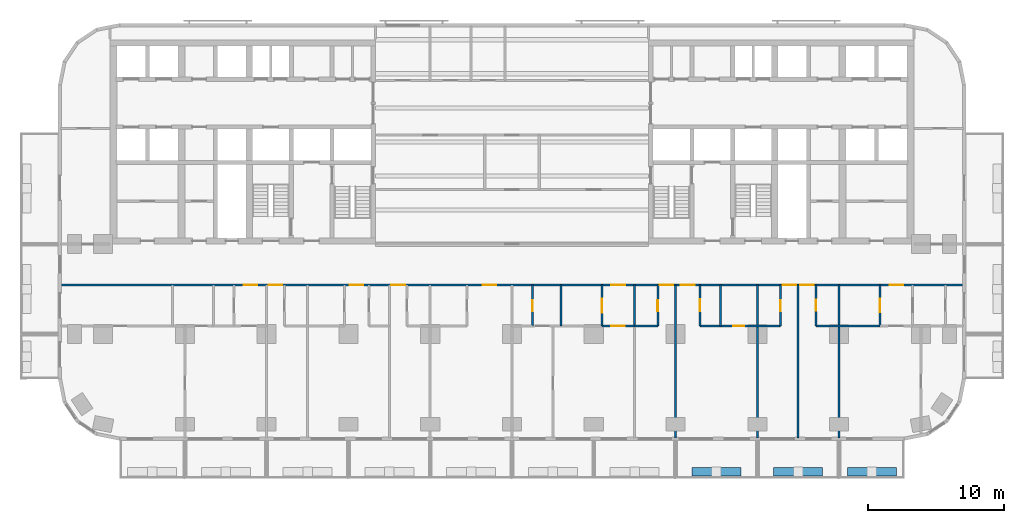
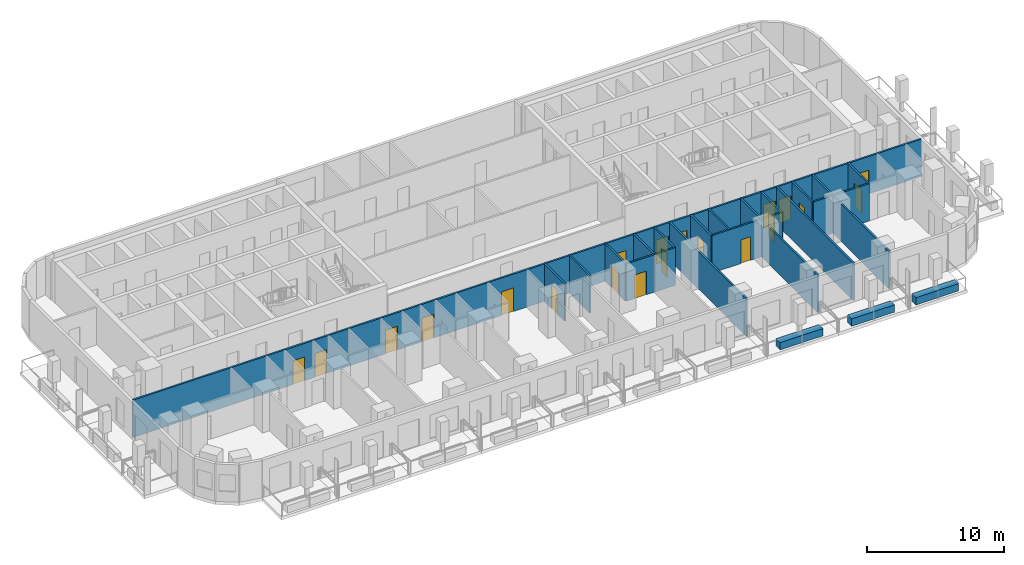
# One storey, part 6 of 15: 22 walls, 20 doors, 20 openings.
"""IFC4 building model written with IfcOpenShell, lengths in metres."""

from ifc_helpers import new_model, si_unit, direction, frame, frame_2d, origin, place, context, subcontext, project, spatial, rectangle, extrude, material, layer, layer_set, type_object, element, fill, save


model = new_model("IFC4")

# Units and contexts
model_context = context("Model", 3, precision=1e-05, world=origin(), true_north=direction((0.0, 1.0)))
body_context = subcontext(model_context, "Body", "Model", "MODEL_VIEW")
ifc_project = project(units=[si_unit("LENGTHUNIT", "METRE"), si_unit("AREAUNIT", "SQUARE_METRE"), si_unit("VOLUMEUNIT", "CUBIC_METRE"), si_unit("PLANEANGLEUNIT", "RADIAN"), si_unit("MASSUNIT", "GRAM", prefix="KILO")], contexts=[model_context])

# Site, building, storey
site_placement = place(None, origin())
site = spatial("IfcSite", under=ifc_project, at=site_placement, CompositionType="ELEMENT")
building_placement = place(site_placement, origin())
building = spatial("IfcBuilding", under=site, at=building_placement, Name="Torana Hotel and Residences", CompositionType="ELEMENT")
storey_placement = place(building_placement, frame((0.0, 0.0, 70.800048828125)))
storey = spatial("IfcBuildingStorey", under=building, at=storey_placement, Name="L17", CompositionType="ELEMENT", Elevation=70.800048828125)

# Wall, opening, door
ifc_material_1 = material(Name="Gypsum plaster")
ifc_layer_1 = layer(ifc_material_1, 0.014892578125, Name="Plaster", Category="finish")
ifc_material_2 = material(Name="Concrete blockwork", Category="masonry")
ifc_layer_2 = layer(ifc_material_2, 0.1201171875, Name="Blockwork", Category="structure")
ifc_layer_3 = layer(ifc_material_1, 0.014892578125, Name="Plaster", Category="finish")
ifc_layer_set_1 = layer_set([ifc_layer_1, ifc_layer_2, ifc_layer_3], Name="FIRE PARTITION 150 BLOCKWORK")
wall_type_1 = type_object("IfcWallType", Name="FIRE PARTITION 150 BLOCKWORK", PredefinedType="PARTITIONING", material=ifc_layer_set_1)
wall_1_placement = place(storey_placement, frame((27.0, -21.0, 0.0), z_axis=(0.0, 0.0, 1.0), x_axis=(0.0, 1.0, 0.0)))
wall_1 = element("IfcWall", 1, at=wall_1_placement, inside=storey, type_object=wall_type_1, Name="Partition L17", PredefinedType="PARTITIONING", context=body_context, shape_type="SweptSolid", body=[
    extrude(rectangle(XDim=3.0, YDim=0.14990234375, at=frame_2d((1.5, 0.0))), origin(), (0.0, 0.0, 1.0), 3.320068359375),
])
opening_1_placement = place(wall_1_placement, frame((1.0, 0.0, 0.0)))
opening_1 = element("IfcOpeningElement", 2, at=opening_1_placement, cuts=wall_1, Name="Opening L17-81", PredefinedType="OPENING", context=body_context, shape_type="SweptSolid", body=[
    extrude(rectangle(XDim=1.0, YDim=2.10009765625, at=frame_2d((0.5, 1.050048828125))), frame((0.0, 0.0849609375, 0.0), z_axis=(0.0, -1.0, 0.0), x_axis=(1.0, 0.0, 0.0)), (0.0, 0.0, 1.0), 0.169921875),
])
ifc_material_3 = material(Name="Steel S235", Category="steel")
door_type_1 = type_object("IfcDoorType", Name="ENTRY FIRE DOOR D6 1000x2100", OperationType="SINGLE_SWING_LEFT", PredefinedType="DOOR", material=ifc_material_3)
door_1_placement = place(opening_1_placement, origin())
door_1 = element("IfcDoor", 3, at=door_1_placement, inside=storey, type_object=door_type_1, Name="Door L17", OperationType="SINGLE_SWING_RIGHT", OverallHeight=2.10009765625, OverallWidth=1.0, PredefinedType="DOOR", context=body_context, shape_type="SweptSolid", body=[
    extrude(rectangle(XDim=1.0, YDim=2.10009765625, at=frame_2d((0.5, 1.050048828125))), frame((0.0, 0.02490234375, 0.0), z_axis=(0.0, -1.0, 0.0), x_axis=(1.0, 0.0, 0.0)), (0.0, 0.0, 1.0), 0.050048828125),
])
fill(opening_1, door_1)

# Wall
wall_2_placement = place(storey_placement, frame((9.0, -21.0, 0.0), z_axis=(0.0, 0.0, 1.0), x_axis=(0.0, 1.0, 0.0)))
element("IfcWall", 4, at=wall_2_placement, inside=storey, type_object=wall_type_1, Name="Partition L17", PredefinedType="PARTITIONING", context=body_context, shape_type="SweptSolid", body=[
    extrude(rectangle(XDim=3.0, YDim=0.14990234375, at=frame_2d((1.5, 0.0))), origin(), (0.0, 0.0, 1.0), 3.320068359375),
])

# Wall, opening, door
wall_3_placement = place(storey_placement, frame((6.60009765625, -21.0, 0.0), z_axis=(0.0, 0.0, 1.0), x_axis=(0.0, 1.0, 0.0)))
wall_3 = element("IfcWall", 5, at=wall_3_placement, inside=storey, type_object=wall_type_1, Name="Partition L17", PredefinedType="PARTITIONING", context=body_context, shape_type="SweptSolid", body=[
    extrude(rectangle(XDim=3.0, YDim=0.14990234375, at=frame_2d((1.5, 0.0))), origin(), (0.0, 0.0, 1.0), 3.320068359375),
])
opening_2_placement = place(wall_3_placement, frame((0.97998046875, 0.0, 0.0)))
opening_2 = element("IfcOpeningElement", 6, at=opening_2_placement, cuts=wall_3, Name="Opening L17-68", PredefinedType="OPENING", context=body_context, shape_type="SweptSolid", body=[
    extrude(rectangle(XDim=1.0, YDim=2.10009765625, at=frame_2d((0.5, 1.050048828125))), frame((0.0, 0.0849609375, 0.0), z_axis=(0.0, -1.0, 0.0), x_axis=(1.0, 0.0, 0.0)), (0.0, 0.0, 1.0), 0.169921875),
])
door_2_placement = place(opening_2_placement, origin())
door_2 = element("IfcDoor", 7, at=door_2_placement, inside=storey, type_object=door_type_1, Name="Door L17", OperationType="SINGLE_SWING_RIGHT", OverallHeight=2.10009765625, OverallWidth=1.0, PredefinedType="DOOR", context=body_context, shape_type="SweptSolid", body=[
    extrude(rectangle(XDim=1.0, YDim=2.10009765625, at=frame_2d((0.5, 1.050048828125))), frame((0.0, 0.02490234375, 0.0), z_axis=(0.0, -1.0, 0.0), x_axis=(1.0, 0.0, 0.0)), (0.0, 0.0, 1.0), 0.050048828125),
])
fill(opening_2, door_2)

wall_4_placement = place(storey_placement, frame((6.60009765625, -21.0, 0.0), z_axis=(0.0, 0.0, 1.0), x_axis=(1.0, 0.0, 0.0)))
wall_4 = element("IfcWall", 8, at=wall_4_placement, inside=storey, type_object=wall_type_1, Name="Partition L17", PredefinedType="PARTITIONING", context=body_context, shape_type="SweptSolid", body=[
    extrude(rectangle(XDim=2.39990234375, YDim=0.14990234375, at=frame_2d((1.199951171875, 0.0))), origin(), (0.0, 0.0, 1.0), 3.320068359375),
])
opening_3_placement = place(wall_4_placement, frame((0.679931640625, 0.0, 0.0)))
opening_3 = element("IfcOpeningElement", 9, at=opening_3_placement, cuts=wall_4, Name="Opening L17-69", PredefinedType="OPENING", context=body_context, shape_type="SweptSolid", body=[
    extrude(rectangle(XDim=1.0, YDim=2.10009765625, at=frame_2d((0.5, 1.050048828125))), frame((0.0, 0.0849609375, 0.0), z_axis=(0.0, -1.0, 0.0), x_axis=(1.0, 0.0, 0.0)), (0.0, 0.0, 1.0), 0.169921875),
])
door_3_placement = place(opening_3_placement, frame((0.5, 0.0, 0.0), z_axis=(0.0, 0.0, 1.0), x_axis=(-1.0, 0.0, 0.0)))
door_3 = element("IfcDoor", 10, at=door_3_placement, inside=storey, type_object=door_type_1, Name="Door L17", OperationType="SINGLE_SWING_LEFT", OverallHeight=2.10009765625, OverallWidth=1.0, PredefinedType="DOOR", context=body_context, shape_type="SweptSolid", body=[
    extrude(rectangle(XDim=1.0, YDim=2.10009765625, at=frame_2d((0.0, 1.050048828125))), frame((0.0, -0.02490234375, 0.0), z_axis=(0.0, 1.0, 0.0), x_axis=(-1.0, 0.0, 0.0)), (0.0, 0.0, 1.0), 0.050048828125),
])
fill(opening_3, door_3)

# Wall, openings, doors
wall_5_placement = place(storey_placement, frame((-33.1201171875, -18.0, 0.0), z_axis=(0.0, 0.0, 1.0), x_axis=(1.0, 0.0, 0.0)))
wall_5 = element("IfcWall", 11, at=wall_5_placement, inside=storey, type_object=wall_type_1, Name="Partition L17", PredefinedType="PARTITIONING", context=body_context, shape_type="SweptSolid", body=[
    extrude(rectangle(XDim=66.240234375, YDim=0.14990234375, at=frame_2d((33.1201171875, 0.0))), origin(), (0.0, 0.0, 1.0), 3.320068359375),
])
opening_4_placement = place(wall_5_placement, frame((15.27001953125, 0.0, 0.0)))
opening_4 = element("IfcOpeningElement", 12, at=opening_4_placement, cuts=wall_5, Name="Opening L17-40", PredefinedType="OPENING", context=body_context, shape_type="SweptSolid", body=[
    extrude(rectangle(XDim=1.0, YDim=2.10009765625, at=frame_2d((0.5, 1.050048828125))), frame((0.0, 0.0849609375, 0.0), z_axis=(0.0, -1.0, 0.0), x_axis=(1.0, 0.0, 0.0)), (0.0, 0.0, 1.0), 0.169921875),
])
opening_5_placement = place(wall_5_placement, frame((21.219970703125, 0.0, 0.0)))
opening_5 = element("IfcOpeningElement", 13, at=opening_5_placement, cuts=wall_5, Name="Opening L17-41", PredefinedType="OPENING", context=body_context, shape_type="SweptSolid", body=[
    extrude(rectangle(XDim=1.0, YDim=2.10009765625, at=frame_2d((0.5, 1.050048828125))), frame((0.0, 0.0849609375, 0.0), z_axis=(0.0, -1.0, 0.0), x_axis=(1.0, 0.0, 0.0)), (0.0, 0.0, 1.0), 0.169921875),
])
opening_6_placement = place(wall_5_placement, frame((24.27001953125, 0.0, 0.0)))
opening_6 = element("IfcOpeningElement", 14, at=opening_6_placement, cuts=wall_5, Name="Opening L17-42", PredefinedType="OPENING", context=body_context, shape_type="SweptSolid", body=[
    extrude(rectangle(XDim=1.0, YDim=2.10009765625, at=frame_2d((0.5, 1.050048828125))), frame((0.0, 0.0849609375, 0.0), z_axis=(0.0, -1.0, 0.0), x_axis=(1.0, 0.0, 0.0)), (0.0, 0.0, 1.0), 0.169921875),
])
opening_7_placement = place(wall_5_placement, frame((30.969970703125, 0.0, 0.0)))
opening_7 = element("IfcOpeningElement", 15, at=opening_7_placement, cuts=wall_5, Name="Opening L17-43", PredefinedType="OPENING", context=body_context, shape_type="SweptSolid", body=[
    extrude(rectangle(XDim=1.0, YDim=2.10009765625, at=frame_2d((0.5, 1.050048828125))), frame((0.0, 0.0849609375, 0.0), z_axis=(0.0, -1.0, 0.0), x_axis=(1.0, 0.0, 0.0)), (0.0, 0.0, 1.0), 0.169921875),
])
opening_8_placement = place(wall_5_placement, frame((40.419921875, 0.0, 0.0)))
opening_8 = element("IfcOpeningElement", 16, at=opening_8_placement, cuts=wall_5, Name="Opening L17-44", PredefinedType="OPENING", context=body_context, shape_type="SweptSolid", body=[
    extrude(rectangle(XDim=1.0, YDim=2.10009765625, at=frame_2d((0.5, 1.050048828125))), frame((0.0, 0.0849609375, 0.0), z_axis=(0.0, -1.0, 0.0), x_axis=(1.0, 0.0, 0.0)), (0.0, 0.0, 1.0), 0.169921875),
])
opening_9_placement = place(wall_5_placement, frame((43.969970703125, 0.0, 0.0)))
opening_9 = element("IfcOpeningElement", 17, at=opening_9_placement, cuts=wall_5, Name="Opening L17-45", PredefinedType="OPENING", context=body_context, shape_type="SweptSolid", body=[
    extrude(rectangle(XDim=1.0, YDim=2.10009765625, at=frame_2d((0.5, 1.050048828125))), frame((0.0, 0.0849609375, 0.0), z_axis=(0.0, -1.0, 0.0), x_axis=(1.0, 0.0, 0.0)), (0.0, 0.0, 1.0), 0.169921875),
])
opening_10_placement = place(wall_5_placement, frame((45.52001953125, 0.0, 0.0)))
opening_10 = element("IfcOpeningElement", 18, at=opening_10_placement, cuts=wall_5, Name="Opening L17-46", PredefinedType="OPENING", context=body_context, shape_type="SweptSolid", body=[
    extrude(rectangle(XDim=1.0, YDim=2.10009765625, at=frame_2d((0.5, 1.050048828125))), frame((0.0, 0.0849609375, 0.0), z_axis=(0.0, -1.0, 0.0), x_axis=(1.0, 0.0, 0.0)), (0.0, 0.0, 1.0), 0.169921875),
])
opening_11_placement = place(wall_5_placement, frame((52.969970703125, 0.0, 0.0)))
opening_11 = element("IfcOpeningElement", 19, at=opening_11_placement, cuts=wall_5, Name="Opening L17-47", PredefinedType="OPENING", context=body_context, shape_type="SweptSolid", body=[
    extrude(rectangle(XDim=1.0, YDim=2.10009765625, at=frame_2d((0.5, 1.050048828125))), frame((0.0, 0.0849609375, 0.0), z_axis=(0.0, -1.0, 0.0), x_axis=(1.0, 0.0, 0.0)), (0.0, 0.0, 1.0), 0.169921875),
])
opening_12_placement = place(wall_5_placement, frame((54.27001953125, 0.0, 0.0)))
opening_12 = element("IfcOpeningElement", 20, at=opening_12_placement, cuts=wall_5, Name="Opening L17-48", PredefinedType="OPENING", context=body_context, shape_type="SweptSolid", body=[
    extrude(rectangle(XDim=1.0, YDim=2.10009765625, at=frame_2d((0.5, 1.050048828125))), frame((0.0, 0.0849609375, 0.0), z_axis=(0.0, -1.0, 0.0), x_axis=(1.0, 0.0, 0.0)), (0.0, 0.0, 1.0), 0.169921875),
])
opening_13_placement = place(wall_5_placement, frame((13.419921875, 0.0, 0.0)))
opening_13 = element("IfcOpeningElement", 21, at=opening_13_placement, cuts=wall_5, Name="Opening L17-49", PredefinedType="OPENING", context=body_context, shape_type="SweptSolid", body=[
    extrude(rectangle(XDim=1.0, YDim=2.10009765625, at=frame_2d((0.5, 1.050048828125))), frame((0.0, 0.0849609375, 0.0), z_axis=(0.0, -1.0, 0.0), x_axis=(1.0, 0.0, 0.0)), (0.0, 0.0, 1.0), 0.169921875),
])
opening_14_placement = place(wall_5_placement, frame((60.820068359375, 0.0, 0.0)))
opening_14 = element("IfcOpeningElement", 22, at=opening_14_placement, cuts=wall_5, Name="Opening L17-50", PredefinedType="OPENING", context=body_context, shape_type="SweptSolid", body=[
    extrude(rectangle(XDim=1.0, YDim=2.10009765625, at=frame_2d((0.5, 1.050048828125))), frame((0.0, 0.0849609375, 0.0), z_axis=(0.0, -1.0, 0.0), x_axis=(1.0, 0.0, 0.0)), (0.0, 0.0, 1.0), 0.169921875),
])
door_4_placement = place(opening_4_placement, frame((0.5, 0.0, 0.0), z_axis=(0.0, 0.0, 1.0), x_axis=(-1.0, 0.0, 0.0)))
door_4 = element("IfcDoor", 23, at=door_4_placement, inside=storey, type_object=door_type_1, Name="Door L17", OperationType="SINGLE_SWING_LEFT", OverallHeight=2.10009765625, OverallWidth=1.0, PredefinedType="DOOR", context=body_context, shape_type="SweptSolid", body=[
    extrude(rectangle(XDim=1.0, YDim=2.10009765625, at=frame_2d((0.0, 1.050048828125))), frame((0.0, -0.02490234375, 0.0), z_axis=(0.0, 1.0, 0.0), x_axis=(-1.0, 0.0, 0.0)), (0.0, 0.0, 1.0), 0.050048828125),
])
fill(opening_4, door_4)
door_5_placement = place(opening_5_placement, frame((0.5, 0.0, 0.0), z_axis=(0.0, 0.0, 1.0), x_axis=(-1.0, 0.0, 0.0)))
door_5 = element("IfcDoor", 24, at=door_5_placement, inside=storey, type_object=door_type_1, Name="Door L17", OperationType="SINGLE_SWING_LEFT", OverallHeight=2.10009765625, OverallWidth=1.0, PredefinedType="DOOR", context=body_context, shape_type="SweptSolid", body=[
    extrude(rectangle(XDim=1.0, YDim=2.10009765625, at=frame_2d((0.0, 1.050048828125))), frame((0.0, -0.02490234375, 0.0), z_axis=(0.0, 1.0, 0.0), x_axis=(-1.0, 0.0, 0.0)), (0.0, 0.0, 1.0), 0.050048828125),
])
fill(opening_5, door_5)
door_6_placement = place(opening_6_placement, frame((0.5, 0.0, 0.0), z_axis=(0.0, 0.0, 1.0), x_axis=(-1.0, 0.0, 0.0)))
door_6 = element("IfcDoor", 25, at=door_6_placement, inside=storey, type_object=door_type_1, Name="Door L17", OperationType="SINGLE_SWING_LEFT", OverallHeight=2.10009765625, OverallWidth=1.0, PredefinedType="DOOR", context=body_context, shape_type="SweptSolid", body=[
    extrude(rectangle(XDim=1.0, YDim=2.10009765625, at=frame_2d((0.0, 1.050048828125))), frame((0.0, -0.02490234375, 0.0), z_axis=(0.0, 1.0, 0.0), x_axis=(-1.0, 0.0, 0.0)), (0.0, 0.0, 1.0), 0.050048828125),
])
fill(opening_6, door_6)
door_7_placement = place(opening_7_placement, frame((0.5, 0.0, 0.0), z_axis=(0.0, 0.0, 1.0), x_axis=(-1.0, 0.0, 0.0)))
door_7 = element("IfcDoor", 26, at=door_7_placement, inside=storey, type_object=door_type_1, Name="Door L17", OperationType="SINGLE_SWING_LEFT", OverallHeight=2.10009765625, OverallWidth=1.0, PredefinedType="DOOR", context=body_context, shape_type="SweptSolid", body=[
    extrude(rectangle(XDim=1.0, YDim=2.10009765625, at=frame_2d((0.0, 1.050048828125))), frame((0.0, -0.02490234375, 0.0), z_axis=(0.0, 1.0, 0.0), x_axis=(-1.0, 0.0, 0.0)), (0.0, 0.0, 1.0), 0.050048828125),
])
fill(opening_7, door_7)
door_8_placement = place(opening_8_placement, origin())
door_8 = element("IfcDoor", 27, at=door_8_placement, inside=storey, type_object=door_type_1, Name="Door L17", OperationType="SINGLE_SWING_RIGHT", OverallHeight=2.10009765625, OverallWidth=1.0, PredefinedType="DOOR", context=body_context, shape_type="SweptSolid", body=[
    extrude(rectangle(XDim=1.0, YDim=2.10009765625, at=frame_2d((0.5, 1.050048828125))), frame((0.0, 0.02490234375, 0.0), z_axis=(0.0, -1.0, 0.0), x_axis=(1.0, 0.0, 0.0)), (0.0, 0.0, 1.0), 0.050048828125),
])
fill(opening_8, door_8)
door_9_placement = place(opening_9_placement, frame((0.5, 0.0, 0.0), z_axis=(0.0, 0.0, 1.0), x_axis=(-1.0, 0.0, 0.0)))
door_9 = element("IfcDoor", 28, at=door_9_placement, inside=storey, type_object=door_type_1, Name="Door L17", OperationType="SINGLE_SWING_LEFT", OverallHeight=2.10009765625, OverallWidth=1.0, PredefinedType="DOOR", context=body_context, shape_type="SweptSolid", body=[
    extrude(rectangle(XDim=1.0, YDim=2.10009765625, at=frame_2d((0.0, 1.050048828125))), frame((0.0, -0.02490234375, 0.0), z_axis=(0.0, 1.0, 0.0), x_axis=(-1.0, 0.0, 0.0)), (0.0, 0.0, 1.0), 0.050048828125),
])
fill(opening_9, door_9)
door_10_placement = place(opening_10_placement, frame((0.5, 0.0, 0.0), z_axis=(0.0, 0.0, 1.0), x_axis=(-1.0, 0.0, 0.0)))
door_10 = element("IfcDoor", 29, at=door_10_placement, inside=storey, type_object=door_type_1, Name="Door L17", OperationType="SINGLE_SWING_LEFT", OverallHeight=2.10009765625, OverallWidth=1.0, PredefinedType="DOOR", context=body_context, shape_type="SweptSolid", body=[
    extrude(rectangle(XDim=1.0, YDim=2.10009765625, at=frame_2d((0.0, 1.050048828125))), frame((0.0, -0.02490234375, 0.0), z_axis=(0.0, 1.0, 0.0), x_axis=(-1.0, 0.0, 0.0)), (0.0, 0.0, 1.0), 0.050048828125),
])
fill(opening_10, door_10)
door_11_placement = place(opening_11_placement, frame((0.5, 0.0, 0.0), z_axis=(0.0, 0.0, 1.0), x_axis=(-1.0, 0.0, 0.0)))
door_11 = element("IfcDoor", 30, at=door_11_placement, inside=storey, type_object=door_type_1, Name="Door L17", OperationType="SINGLE_SWING_LEFT", OverallHeight=2.10009765625, OverallWidth=1.0, PredefinedType="DOOR", context=body_context, shape_type="SweptSolid", body=[
    extrude(rectangle(XDim=1.0, YDim=2.10009765625, at=frame_2d((0.0, 1.050048828125))), frame((0.0, -0.02490234375, 0.0), z_axis=(0.0, 1.0, 0.0), x_axis=(-1.0, 0.0, 0.0)), (0.0, 0.0, 1.0), 0.050048828125),
])
fill(opening_11, door_11)
door_12_placement = place(opening_12_placement, frame((0.5, 0.0, 0.0), z_axis=(0.0, 0.0, 1.0), x_axis=(-1.0, 0.0, 0.0)))
door_12 = element("IfcDoor", 31, at=door_12_placement, inside=storey, type_object=door_type_1, Name="Door L17", OperationType="SINGLE_SWING_LEFT", OverallHeight=2.10009765625, OverallWidth=1.0, PredefinedType="DOOR", context=body_context, shape_type="SweptSolid", body=[
    extrude(rectangle(XDim=1.0, YDim=2.10009765625, at=frame_2d((0.0, 1.050048828125))), frame((0.0, -0.02490234375, 0.0), z_axis=(0.0, 1.0, 0.0), x_axis=(-1.0, 0.0, 0.0)), (0.0, 0.0, 1.0), 0.050048828125),
])
fill(opening_12, door_12)
door_13_placement = place(opening_13_placement, origin())
door_13 = element("IfcDoor", 32, at=door_13_placement, inside=storey, type_object=door_type_1, Name="Door L17", OperationType="SINGLE_SWING_RIGHT", OverallHeight=2.10009765625, OverallWidth=1.0, PredefinedType="DOOR", context=body_context, shape_type="SweptSolid", body=[
    extrude(rectangle(XDim=1.0, YDim=2.10009765625, at=frame_2d((0.5, 1.050048828125))), frame((0.0, 0.02490234375, 0.0), z_axis=(0.0, -1.0, 0.0), x_axis=(1.0, 0.0, 0.0)), (0.0, 0.0, 1.0), 0.050048828125),
])
fill(opening_13, door_13)
door_14_placement = place(opening_14_placement, origin())
door_14 = element("IfcDoor", 33, at=door_14_placement, inside=storey, type_object=door_type_1, Name="Door L17", OperationType="SINGLE_SWING_RIGHT", OverallHeight=2.10009765625, OverallWidth=1.0, PredefinedType="DOOR", context=body_context, shape_type="SweptSolid", body=[
    extrude(rectangle(XDim=1.0, YDim=2.10009765625, at=frame_2d((0.5, 1.050048828125))), frame((0.0, 0.02490234375, 0.0), z_axis=(0.0, -1.0, 0.0), x_axis=(1.0, 0.0, 0.0)), (0.0, 0.0, 1.0), 0.050048828125),
])
fill(opening_14, door_14)

# Wall
ifc_material_4 = material(Name="Gypsum plasterboard")
ifc_layer_4 = layer(ifc_material_4, 0.012451171875, Name="Plasterboard", Category="finish")
ifc_layer_5 = layer(ifc_material_4, 0.012451171875, Name="Plasterboard", Category="finish")
ifc_material_5 = material(Name="Steel S280GD", Category="steel")
ifc_layer_6 = layer(ifc_material_5, 0.10009765625, Name="Steel studs with mineral wool", Category="insulation")
ifc_layer_7 = layer(ifc_material_4, 0.012451171875, Name="Plasterboard", Category="finish")
ifc_layer_8 = layer(ifc_material_4, 0.012451171875, Name="Plasterboard", Category="finish")
ifc_layer_set_2 = layer_set([ifc_layer_4, ifc_layer_5, ifc_layer_6, ifc_layer_7, ifc_layer_8], Name="PARTITION 150 PLASTERBOARD")
wall_type_2 = type_object("IfcWallType", Name="PARTITION 150 PLASTERBOARD", PredefinedType="PARTITIONING", material=ifc_layer_set_2)
wall_6_placement = place(storey_placement, frame((24.0, -29.219970703125, 0.0), z_axis=(0.0, 0.0, 1.0), x_axis=(0.0, 1.0, 0.0)))
element("IfcWall", 34, at=wall_6_placement, inside=storey, type_object=wall_type_2, Name="Partition L17", PredefinedType="PARTITIONING", context=body_context, shape_type="SweptSolid", body=[
    extrude(rectangle(XDim=11.219970703125, YDim=0.14990234375, at=frame_2d((5.60986328125, 0.0))), origin(), (0.0, 0.0, 1.0), 3.320068359375),
])

# Wall, opening, door
wall_7_placement = place(storey_placement, frame((22.300048828125, -21.0, 0.0), z_axis=(0.0, 0.0, 1.0), x_axis=(0.0, 1.0, 0.0)))
wall_7 = element("IfcWall", 35, at=wall_7_placement, inside=storey, type_object=wall_type_2, Name="Partition L17", PredefinedType="PARTITIONING", context=body_context, shape_type="SweptSolid", body=[
    extrude(rectangle(XDim=3.0, YDim=0.14990234375, at=frame_2d((1.5, 0.0))), origin(), (0.0, 0.0, 1.0), 3.320068359375),
])
opening_15_placement = place(wall_7_placement, frame((1.1201171875, 0.0, 0.0)))
opening_15 = element("IfcOpeningElement", 36, at=opening_15_placement, cuts=wall_7, Name="Opening L17-75", PredefinedType="OPENING", context=body_context, shape_type="SweptSolid", body=[
    extrude(rectangle(XDim=0.800048828125, YDim=2.10009765625, at=frame_2d((0.39990234375, 1.050048828125))), frame((0.0, 0.0849609375, 0.0), z_axis=(0.0, -1.0, 0.0), x_axis=(1.0, 0.0, 0.0)), (0.0, 0.0, 1.0), 0.169921875),
])
ifc_material_6 = material(Name="Timber door, painted", Category="wood")
door_type_2 = type_object("IfcDoorType", Name="BATH DOOR D13 800x2100", OperationType="SINGLE_SWING_LEFT", PredefinedType="DOOR", material=ifc_material_6)
door_15_placement = place(opening_15_placement, origin())
door_15 = element("IfcDoor", 37, at=door_15_placement, inside=storey, type_object=door_type_2, Name="Door L17", OperationType="SINGLE_SWING_LEFT", OverallHeight=2.10009765625, OverallWidth=0.800048828125, PredefinedType="DOOR", context=body_context, shape_type="SweptSolid", body=[
    extrude(rectangle(XDim=0.800048828125, YDim=2.10009765625, at=frame_2d((0.39990234375, 1.050048828125))), frame((0.0, 0.02490234375, 0.0), z_axis=(0.0, -1.0, 0.0), x_axis=(1.0, 0.0, 0.0)), (0.0, 0.0, 1.0), 0.050048828125),
])
fill(opening_15, door_15)

# Wall
wall_8_placement = place(storey_placement, frame((21.0, -29.219970703125, 0.0), z_axis=(0.0, 0.0, 1.0), x_axis=(0.0, 1.0, 0.0)))
element("IfcWall", 38, at=wall_8_placement, inside=storey, type_object=wall_type_2, Name="Partition L17", PredefinedType="PARTITIONING", context=body_context, shape_type="SweptSolid", body=[
    extrude(rectangle(XDim=11.219970703125, YDim=0.14990234375, at=frame_2d((5.60986328125, 0.0))), origin(), (0.0, 0.0, 1.0), 3.320068359375),
])

# Wall, opening, door
wall_9_placement = place(storey_placement, frame((19.699951171875, -21.0, 0.0), z_axis=(0.0, 0.0, 1.0), x_axis=(0.0, 1.0, 0.0)))
wall_9 = element("IfcWall", 39, at=wall_9_placement, inside=storey, type_object=wall_type_2, Name="Partition L17", PredefinedType="PARTITIONING", context=body_context, shape_type="SweptSolid", body=[
    extrude(rectangle(XDim=3.0, YDim=0.14990234375, at=frame_2d((1.5, 0.0))), origin(), (0.0, 0.0, 1.0), 3.320068359375),
])
opening_16_placement = place(wall_9_placement, frame((1.080078125, 0.0, 0.0)))
opening_16 = element("IfcOpeningElement", 40, at=opening_16_placement, cuts=wall_9, Name="Opening L17-74", PredefinedType="OPENING", context=body_context, shape_type="SweptSolid", body=[
    extrude(rectangle(XDim=0.800048828125, YDim=2.10009765625, at=frame_2d((0.39990234375, 1.050048828125))), frame((0.0, 0.0849609375, 0.0), z_axis=(0.0, -1.0, 0.0), x_axis=(1.0, 0.0, 0.0)), (0.0, 0.0, 1.0), 0.169921875),
])
door_16_placement = place(opening_16_placement, origin())
door_16 = element("IfcDoor", 41, at=door_16_placement, inside=storey, type_object=door_type_2, Name="Door L17", OperationType="SINGLE_SWING_RIGHT", OverallHeight=2.10009765625, OverallWidth=0.800048828125, PredefinedType="DOOR", context=body_context, shape_type="SweptSolid", body=[
    extrude(rectangle(XDim=0.800048828125, YDim=2.10009765625, at=frame_2d((0.39990234375, 1.050048828125))), frame((0.0, 0.02490234375, 0.0), z_axis=(0.0, -1.0, 0.0), x_axis=(1.0, 0.0, 0.0)), (0.0, 0.0, 1.0), 0.050048828125),
])
fill(opening_16, door_16)

# Walls
wall_10_placement = place(storey_placement, frame((18.0, -29.219970703125, 0.0), z_axis=(0.0, 0.0, 1.0), x_axis=(0.0, 1.0, 0.0)))
element("IfcWall", 42, at=wall_10_placement, inside=storey, type_object=wall_type_2, Name="Partition L17", PredefinedType="PARTITIONING", context=body_context, shape_type="SweptSolid", body=[
    extrude(rectangle(XDim=11.219970703125, YDim=0.14990234375, at=frame_2d((5.60986328125, 0.0))), origin(), (0.0, 0.0, 1.0), 3.320068359375),
])
wall_11_placement = place(storey_placement, frame((15.300048828125, -21.0, 0.0), z_axis=(0.0, 0.0, 1.0), x_axis=(0.0, 1.0, 0.0)))
element("IfcWall", 43, at=wall_11_placement, inside=storey, type_object=wall_type_2, Name="Partition L17", PredefinedType="PARTITIONING", context=body_context, shape_type="SweptSolid", body=[
    extrude(rectangle(XDim=3.0, YDim=0.14990234375, at=frame_2d((1.5, 0.0))), origin(), (0.0, 0.0, 1.0), 3.320068359375),
])

# Wall, opening, door
wall_12_placement = place(storey_placement, frame((13.800048828125, -21.0, 0.0), z_axis=(0.0, 0.0, 1.0), x_axis=(0.0, 1.0, 0.0)))
wall_12 = element("IfcWall", 44, at=wall_12_placement, inside=storey, type_object=wall_type_2, Name="Partition L17", PredefinedType="PARTITIONING", context=body_context, shape_type="SweptSolid", body=[
    extrude(rectangle(XDim=3.0, YDim=0.14990234375, at=frame_2d((1.5, 0.0))), origin(), (0.0, 0.0, 1.0), 3.320068359375),
])
opening_17_placement = place(wall_12_placement, frame((1.070068359375, 0.0, 0.0)))
opening_17 = element("IfcOpeningElement", 45, at=opening_17_placement, cuts=wall_12, Name="Opening L17-72", PredefinedType="OPENING", context=body_context, shape_type="SweptSolid", body=[
    extrude(rectangle(XDim=0.89990234375, YDim=2.10009765625, at=frame_2d((0.449951171875, 1.050048828125))), frame((0.0, 0.0849609375, 0.0), z_axis=(0.0, -1.0, 0.0), x_axis=(1.0, 0.0, 0.0)), (0.0, 0.0, 1.0), 0.169921875),
])
ifc_material_7 = material(Name="Timber door, oiled ash", Category="wood")
door_type_3 = type_object("IfcDoorType", Name="ROOM DOOR D7 900x2100", OperationType="SINGLE_SWING_LEFT", PredefinedType="DOOR", material=ifc_material_7)
door_17_placement = place(opening_17_placement, origin())
door_17 = element("IfcDoor", 46, at=door_17_placement, inside=storey, type_object=door_type_3, Name="Door L17", OperationType="SINGLE_SWING_LEFT", OverallHeight=2.10009765625, OverallWidth=0.89990234375, PredefinedType="DOOR", context=body_context, shape_type="SweptSolid", body=[
    extrude(rectangle(XDim=0.89990234375, YDim=2.10009765625, at=frame_2d((0.449951171875, 1.050048828125))), frame((0.0, 0.02490234375, 0.0), z_axis=(0.0, -1.0, 0.0), x_axis=(1.0, 0.0, 0.0)), (0.0, 0.0, 1.0), 0.050048828125),
])
fill(opening_17, door_17)

# Wall
wall_13_placement = place(storey_placement, frame((12.0, -29.219970703125, 0.0), z_axis=(0.0, 0.0, 1.0), x_axis=(0.0, 1.0, 0.0)))
element("IfcWall", 47, at=wall_13_placement, inside=storey, type_object=wall_type_2, Name="Partition L17", PredefinedType="PARTITIONING", context=body_context, shape_type="SweptSolid", body=[
    extrude(rectangle(XDim=11.219970703125, YDim=0.14990234375, at=frame_2d((5.60986328125, 0.0))), origin(), (0.0, 0.0, 1.0), 3.320068359375),
])

# Wall, opening, door
wall_14_placement = place(storey_placement, frame((10.699951171875, -21.0, 0.0), z_axis=(0.0, 0.0, 1.0), x_axis=(0.0, 1.0, 0.0)))
wall_14 = element("IfcWall", 48, at=wall_14_placement, inside=storey, type_object=wall_type_2, Name="Partition L17", PredefinedType="PARTITIONING", context=body_context, shape_type="SweptSolid", body=[
    extrude(rectangle(XDim=3.0, YDim=0.14990234375, at=frame_2d((1.5, 0.0))), origin(), (0.0, 0.0, 1.0), 3.320068359375),
])
opening_18_placement = place(wall_14_placement, frame((1.080078125, 0.0, 0.0)))
opening_18 = element("IfcOpeningElement", 49, at=opening_18_placement, cuts=wall_14, Name="Opening L17-71", PredefinedType="OPENING", context=body_context, shape_type="SweptSolid", body=[
    extrude(rectangle(XDim=0.800048828125, YDim=2.10009765625, at=frame_2d((0.39990234375, 1.050048828125))), frame((0.0, 0.0849609375, 0.0), z_axis=(0.0, -1.0, 0.0), x_axis=(1.0, 0.0, 0.0)), (0.0, 0.0, 1.0), 0.169921875),
])
door_18_placement = place(opening_18_placement, origin())
door_18 = element("IfcDoor", 50, at=door_18_placement, inside=storey, type_object=door_type_2, Name="Door L17", OperationType="SINGLE_SWING_RIGHT", OverallHeight=2.10009765625, OverallWidth=0.800048828125, PredefinedType="DOOR", context=body_context, shape_type="SweptSolid", body=[
    extrude(rectangle(XDim=0.800048828125, YDim=2.10009765625, at=frame_2d((0.39990234375, 1.050048828125))), frame((0.0, 0.02490234375, 0.0), z_axis=(0.0, -1.0, 0.0), x_axis=(1.0, 0.0, 0.0)), (0.0, 0.0, 1.0), 0.050048828125),
])
fill(opening_18, door_18)

# Walls
wall_15_placement = place(storey_placement, frame((3.60009765625, -21.0, 0.0), z_axis=(0.0, 0.0, 1.0), x_axis=(0.0, 1.0, 0.0)))
element("IfcWall", 51, at=wall_15_placement, inside=storey, type_object=wall_type_2, Name="Partition L17", PredefinedType="PARTITIONING", context=body_context, shape_type="SweptSolid", body=[
    extrude(rectangle(XDim=3.0, YDim=0.14990234375, at=frame_2d((1.5, 0.0))), origin(), (0.0, 0.0, 1.0), 3.320068359375),
])
wall_16_placement = place(storey_placement, frame((9.0, -21.0, 0.0), z_axis=(0.0, 0.0, 1.0), x_axis=(1.0, 0.0, 0.0)))
element("IfcWall", 52, at=wall_16_placement, inside=storey, type_object=wall_type_2, Name="Partition L17", PredefinedType="PARTITIONING", context=body_context, shape_type="SweptSolid", body=[
    extrude(rectangle(XDim=1.699951171875, YDim=0.14990234375, at=frame_2d((0.85009765625, 0.0))), origin(), (0.0, 0.0, 1.0), 3.320068359375),
])

# Wall, opening, door
wall_17_placement = place(storey_placement, frame((13.800048828125, -21.0, 0.0), z_axis=(0.0, 0.0, 1.0), x_axis=(1.0, 0.0, 0.0)))
wall_17 = element("IfcWall", 53, at=wall_17_placement, inside=storey, type_object=wall_type_2, Name="Partition L17", PredefinedType="PARTITIONING", context=body_context, shape_type="SweptSolid", body=[
    extrude(rectangle(XDim=5.89990234375, YDim=0.14990234375, at=frame_2d((2.949951171875, 0.0))), origin(), (0.0, 0.0, 1.0), 3.320068359375),
])
opening_19_placement = place(wall_17_placement, frame((2.429931640625, 0.0, 0.0)))
opening_19 = element("IfcOpeningElement", 54, at=opening_19_placement, cuts=wall_17, Name="Opening L17-73", PredefinedType="OPENING", context=body_context, shape_type="SweptSolid", body=[
    extrude(rectangle(XDim=0.800048828125, YDim=2.10009765625, at=frame_2d((0.39990234375, 1.050048828125))), frame((0.0, 0.0849609375, 0.0), z_axis=(0.0, -1.0, 0.0), x_axis=(1.0, 0.0, 0.0)), (0.0, 0.0, 1.0), 0.169921875),
])
door_19_placement = place(opening_19_placement, origin())
door_19 = element("IfcDoor", 55, at=door_19_placement, inside=storey, type_object=door_type_2, Name="Door L17", OperationType="SINGLE_SWING_RIGHT", OverallHeight=2.10009765625, OverallWidth=0.800048828125, PredefinedType="DOOR", context=body_context, shape_type="SweptSolid", body=[
    extrude(rectangle(XDim=0.800048828125, YDim=2.10009765625, at=frame_2d((0.39990234375, 1.050048828125))), frame((0.0, 0.02490234375, 0.0), z_axis=(0.0, -1.0, 0.0), x_axis=(1.0, 0.0, 0.0)), (0.0, 0.0, 1.0), 0.050048828125),
])
fill(opening_19, door_19)

# Walls
wall_18_placement = place(storey_placement, frame((22.300048828125, -21.0, 0.0), z_axis=(0.0, 0.0, 1.0), x_axis=(1.0, 0.0, 0.0)))
element("IfcWall", 56, at=wall_18_placement, inside=storey, type_object=wall_type_2, Name="Partition L17", PredefinedType="PARTITIONING", context=body_context, shape_type="SweptSolid", body=[
    extrude(rectangle(XDim=4.699951171875, YDim=0.14990234375, at=frame_2d((2.35009765625, 0.0))), origin(), (0.0, 0.0, 1.0), 3.320068359375),
])
ifc_material_8 = material(Name="Concrete C40/50 precast", Category="concrete")
ifc_layer_9 = layer(ifc_material_8, 0.10009765625, Name="Planter shell", Category="structure")
ifc_material_9 = material(Name="Root resistant membrane")
ifc_layer_10 = layer(ifc_material_9, 0.00390625, Name="Waterproofing membrane", Category="membrane")
ifc_material_10 = material(Name="Drainage board with filter fleece")
ifc_layer_11 = layer(ifc_material_10, 0.02001953125, Name="Drainage board", Category="drainage")
ifc_material_11 = material(Name="Growing medium")
ifc_layer_12 = layer(ifc_material_11, 0.47607421875, Name="Planting substrate", Category="soil")
ifc_layer_set_3 = layer_set([ifc_layer_9, ifc_layer_10, ifc_layer_11, ifc_layer_12], Name="PL1 BALCONY PLANTER 600")
wall_type_3 = type_object("IfcWallType", Name="PL1 BALCONY PLANTER 600", PredefinedType="USERDEFINED", material=ifc_layer_set_3)
for number, where, z_axis, x_axis, name in (
    (57, (16.800048828125, -31.699951171875, 0.0), (0.0, 0.0, 1.0), (-1.0, 0.0, 0.0), "Planter 08"),
    (58, (22.800048828125, -31.699951171875, 0.0), (0.0, 0.0, 1.0), (-1.0, 0.0, 0.0), "Planter 09"),
):
    element("IfcWall", number, at=place(storey_placement, frame(where, z_axis=z_axis, x_axis=x_axis)), inside=storey, type_object=wall_type_3, Name=name, ObjectType="PLANTER", PredefinedType="USERDEFINED", context=body_context, shape_type="SweptSolid", body=[
        extrude(rectangle(XDim=3.60009765625, YDim=0.60009765625, at=frame_2d((1.800048828125, 0.0))), origin(), (0.0, 0.0, 1.0), 0.64990234375),
    ])
wall_19_placement = place(storey_placement, frame((28.199951171875, -31.699951171875, 0.0), z_axis=(0.0, 0.0, 1.0), x_axis=(-1.0, 0.0, 0.0)))
element("IfcWall", 59, at=wall_19_placement, inside=storey, type_object=wall_type_3, Name="Planter 10", ObjectType="PLANTER", PredefinedType="USERDEFINED", context=body_context, shape_type="SweptSolid", body=[
    extrude(rectangle(XDim=3.599853515625, YDim=0.60009765625, at=frame_2d((1.7998046875, 0.0))), origin(), (0.0, 0.0, 1.0), 0.64990234375),
])

# Wall, opening, door
ifc_material_12 = material(Name="Ceramic tile on adhesive")
ifc_layer_13 = layer(ifc_material_12, 0.010009765625, Name="Wall tile", Category="finish")
ifc_material_13 = material(Name="Cement render")
ifc_layer_14 = layer(ifc_material_13, 0.010009765625, Name="Render", Category="finish")
ifc_layer_15 = layer(ifc_material_2, 0.110107421875, Name="Blockwork", Category="structure")
ifc_layer_16 = layer(ifc_material_13, 0.010009765625, Name="Render", Category="finish")
ifc_layer_17 = layer(ifc_material_12, 0.010009765625, Name="Wall tile", Category="finish")
ifc_layer_set_4 = layer_set([ifc_layer_13, ifc_layer_14, ifc_layer_15, ifc_layer_16, ifc_layer_17], Name="WC PARTITION 150")
wall_type_4 = type_object("IfcWallType", Name="WC PARTITION 150", PredefinedType="PLUMBINGWALL", material=ifc_layer_set_4)
wall_20_placement = place(storey_placement, frame((1.5, -21.0, 0.0), z_axis=(0.0, 0.0, 1.0), x_axis=(0.0, 1.0, 0.0)))
wall_20 = element("IfcWall", 60, at=wall_20_placement, inside=storey, type_object=wall_type_4, Name="Partition L17", PredefinedType="PLUMBINGWALL", context=body_context, shape_type="SweptSolid", body=[
    extrude(rectangle(XDim=3.0, YDim=0.14990234375, at=frame_2d((1.5, 0.0))), origin(), (0.0, 0.0, 1.0), 3.320068359375),
])
opening_20_placement = place(wall_20_placement, frame((1.080078125, 0.0, 0.0)))
opening_20 = element("IfcOpeningElement", 61, at=opening_20_placement, cuts=wall_20, Name="Opening L17-66", PredefinedType="OPENING", context=body_context, shape_type="SweptSolid", body=[
    extrude(rectangle(XDim=0.800048828125, YDim=2.10009765625, at=frame_2d((0.39990234375, 1.050048828125))), frame((0.0, 0.0849609375, 0.0), z_axis=(0.0, -1.0, 0.0), x_axis=(1.0, 0.0, 0.0)), (0.0, 0.0, 1.0), 0.169921875),
])
door_20_placement = place(opening_20_placement, origin())
door_20 = element("IfcDoor", 62, at=door_20_placement, inside=storey, type_object=door_type_2, Name="Door L17", OperationType="SINGLE_SWING_RIGHT", OverallHeight=2.10009765625, OverallWidth=0.800048828125, PredefinedType="DOOR", context=body_context, shape_type="SweptSolid", body=[
    extrude(rectangle(XDim=0.800048828125, YDim=2.10009765625, at=frame_2d((0.39990234375, 1.050048828125))), frame((0.0, 0.02490234375, 0.0), z_axis=(0.0, -1.0, 0.0), x_axis=(1.0, 0.0, 0.0)), (0.0, 0.0, 1.0), 0.050048828125),
])
fill(opening_20, door_20)

save(model, "model.ifc")
